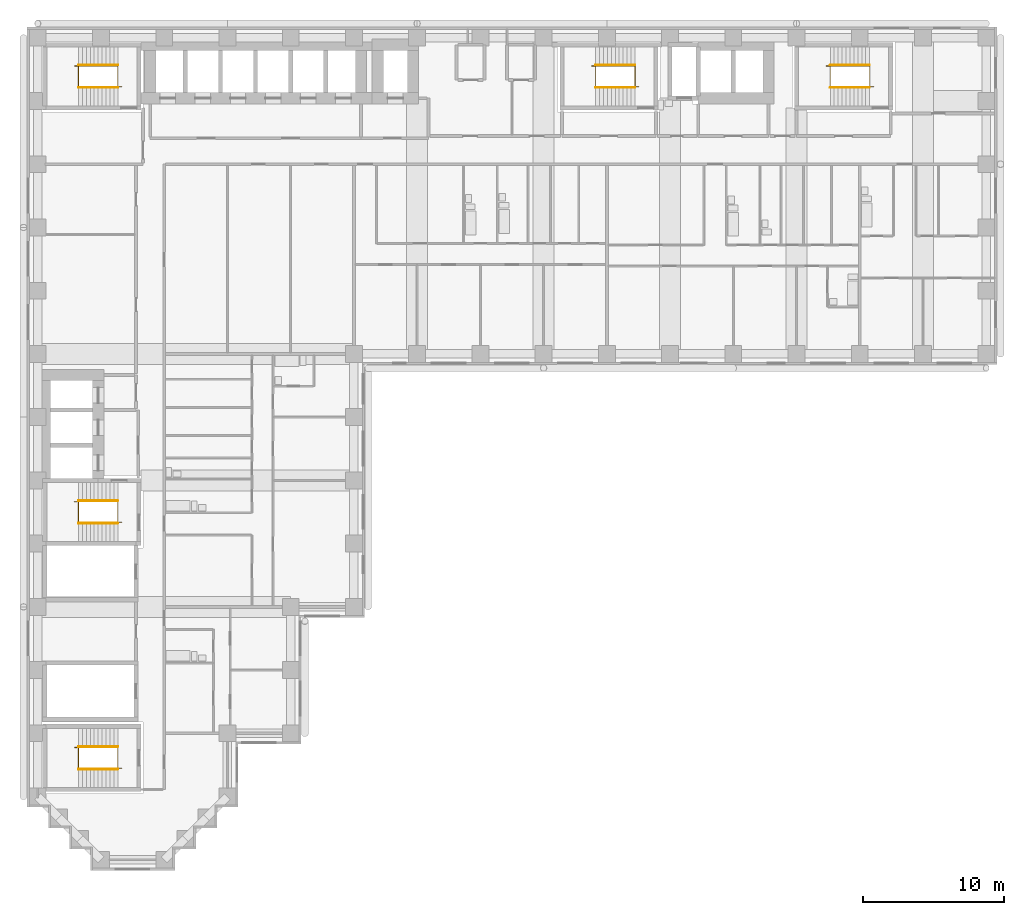
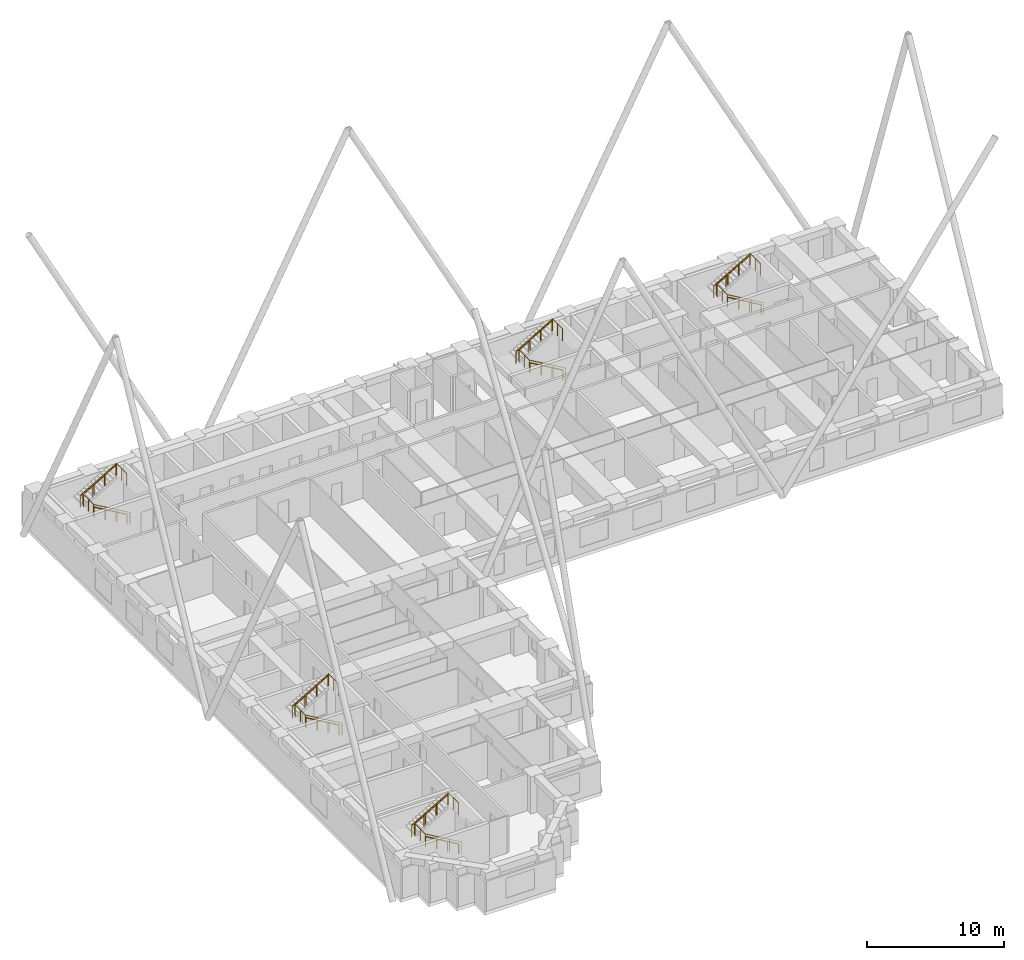
# One storey, part 11 of 12: 15 railings.
"""IFC4 building model written with IfcOpenShell, lengths in metres."""

from ifc_helpers import new_model, si_unit, direction, frame, origin, origin_2d, place, context, subcontext, project, spatial, circle, extrude, material, type_object, element, save


model = new_model("IFC4")

# Units and contexts
model_context = context("Model", 3, precision=1e-05, world=origin(), true_north=direction((0.0, 1.0)))
body_context = subcontext(model_context, "Body", "Model", "MODEL_VIEW")
ifc_project = project(units=[si_unit("LENGTHUNIT", "METRE"), si_unit("AREAUNIT", "SQUARE_METRE"), si_unit("VOLUMEUNIT", "CUBIC_METRE"), si_unit("PLANEANGLEUNIT", "RADIAN"), si_unit("MASSUNIT", "GRAM", prefix="KILO")], contexts=[model_context])

# Site, building, storey
site_placement = place(None, origin())
site = spatial("IfcSite", under=ifc_project, at=site_placement, CompositionType="ELEMENT")
building_placement = place(site_placement, origin())
building = spatial("IfcBuilding", under=site, at=building_placement, Name="Firuza Court", CompositionType="ELEMENT")
storey_placement = place(building_placement, frame((0.0, 0.0, 93.800048828125)))
storey = spatial("IfcBuildingStorey", under=building, at=storey_placement, Name="L23", CompositionType="ELEMENT", Elevation=93.800048828125)

# Railings
ifc_material_1 = material(Name="Steel S355", Category="steel")
railing_type_1 = type_object("IfcRailingType", Name="Handrail 900", PredefinedType="HANDRAIL", material=ifc_material_1)
railing_1_placement = place(storey_placement, frame((42.5, 54.949951171875, 0.16357421875)))
element("IfcRailing", 1, at=railing_1_placement, inside=storey, type_object=railing_type_1, Name="Handrail S1 flight 1", PredefinedType="HANDRAIL", context=body_context, shape_type="SweptSolid", body=[
    extrude(circle(Radius=0.02490234375, at=origin_2d()), frame((0.0, 0.0, 0.875), z_axis=(-0.863360870873, 0.0, 0.504586966384), x_axis=(0.0, -1.0, 0.0)), (0.0, 0.0, 1.0), 3.2431640625),
    extrude(circle(Radius=0.02001953125, at=origin_2d()), origin(), (0.0, 0.0, 1.0), 0.849853515625),
    extrude(circle(Radius=0.02001953125, at=origin_2d()), frame((-0.933349609375, 0.0, 0.54541015625)), (0.0, 0.0, 1.0), 0.849853515625),
    extrude(circle(Radius=0.02001953125, at=origin_2d()), frame((-1.86669921875, 0.0, 1.091064453125)), (0.0, 0.0, 1.0), 0.849853515625),
    extrude(circle(Radius=0.02001953125, at=origin_2d()), frame((-2.800048828125, 0.0, 1.636474609375)), (0.0, 0.0, 1.0), 0.849853515625),
])
railing_2_placement = place(storey_placement, frame((39.699951171875, 56.550048828125, 1.963623046875)))
element("IfcRailing", 2, at=railing_2_placement, inside=storey, type_object=railing_type_1, Name="Handrail S1 flight 2", PredefinedType="HANDRAIL", context=body_context, shape_type="SweptSolid", body=[
    extrude(circle(Radius=0.02490234375, at=origin_2d()), frame((0.0, 0.0, 0.875), z_axis=(0.863393664356, 0.0, 0.504530851732), x_axis=(0.0, 1.0, 0.0)), (0.0, 0.0, 1.0), 3.2431640625),
    extrude(circle(Radius=0.02001953125, at=origin_2d()), origin(), (0.0, 0.0, 1.0), 0.849853515625),
    extrude(circle(Radius=0.02001953125, at=origin_2d()), frame((0.933349609375, 0.0, 0.54541015625)), (0.0, 0.0, 1.0), 0.849853515625),
    extrude(circle(Radius=0.02001953125, at=origin_2d()), frame((1.86669921875, 0.0, 1.0908203125)), (0.0, 0.0, 1.0), 0.849853515625),
    extrude(circle(Radius=0.02001953125, at=origin_2d()), frame((2.800048828125, 0.0, 1.63623046875)), (0.0, 0.0, 1.0), 0.849853515625),
])
railing_3_placement = place(storey_placement, frame((5.699951171875, 23.949951171875, 0.16357421875)))
element("IfcRailing", 3, at=railing_3_placement, inside=storey, type_object=railing_type_1, Name="Handrail S2 flight 1", PredefinedType="HANDRAIL", context=body_context, shape_type="SweptSolid", body=[
    extrude(circle(Radius=0.02490234375, at=origin_2d()), frame((0.0, 0.0, 0.875), z_axis=(-0.863360870873, 0.0, 0.504586966384), x_axis=(0.0, -1.0, 0.0)), (0.0, 0.0, 1.0), 3.2431640625),
    extrude(circle(Radius=0.02001953125, at=origin_2d()), origin(), (0.0, 0.0, 1.0), 0.849853515625),
    extrude(circle(Radius=0.02001953125, at=origin_2d()), frame((-0.933349609375, 0.0, 0.54541015625)), (0.0, 0.0, 1.0), 0.849853515625),
    extrude(circle(Radius=0.02001953125, at=origin_2d()), frame((-1.86669921875, 0.0, 1.091064453125)), (0.0, 0.0, 1.0), 0.849853515625),
    extrude(circle(Radius=0.02001953125, at=origin_2d()), frame((-2.800048828125, 0.0, 1.636474609375)), (0.0, 0.0, 1.0), 0.849853515625),
])
railing_4_placement = place(storey_placement, frame((2.89990234375, 25.550048828125, 1.963623046875)))
element("IfcRailing", 4, at=railing_4_placement, inside=storey, type_object=railing_type_1, Name="Handrail S2 flight 2", PredefinedType="HANDRAIL", context=body_context, shape_type="SweptSolid", body=[
    extrude(circle(Radius=0.02490234375, at=origin_2d()), frame((0.0, 0.0, 0.875), z_axis=(0.863393664356, 0.0, 0.504530851732), x_axis=(0.0, 1.0, 0.0)), (0.0, 0.0, 1.0), 3.2431640625),
    extrude(circle(Radius=0.02001953125, at=origin_2d()), origin(), (0.0, 0.0, 1.0), 0.849853515625),
    extrude(circle(Radius=0.02001953125, at=origin_2d()), frame((0.933349609375, 0.0, 0.54541015625)), (0.0, 0.0, 1.0), 0.849853515625),
    extrude(circle(Radius=0.02001953125, at=origin_2d()), frame((1.86669921875, 0.0, 1.0908203125)), (0.0, 0.0, 1.0), 0.849853515625),
    extrude(circle(Radius=0.02001953125, at=origin_2d()), frame((2.800048828125, 0.0, 1.63623046875)), (0.0, 0.0, 1.0), 0.849853515625),
])
railing_5_placement = place(storey_placement, frame((5.699951171875, 54.949951171875, 0.16357421875)))
element("IfcRailing", 5, at=railing_5_placement, inside=storey, type_object=railing_type_1, Name="Handrail S3 flight 1", PredefinedType="HANDRAIL", context=body_context, shape_type="SweptSolid", body=[
    extrude(circle(Radius=0.02490234375, at=origin_2d()), frame((0.0, 0.0, 0.875), z_axis=(-0.863360870873, 0.0, 0.504586966384), x_axis=(0.0, -1.0, 0.0)), (0.0, 0.0, 1.0), 3.2431640625),
    extrude(circle(Radius=0.02001953125, at=origin_2d()), origin(), (0.0, 0.0, 1.0), 0.849853515625),
    extrude(circle(Radius=0.02001953125, at=origin_2d()), frame((-0.933349609375, 0.0, 0.54541015625)), (0.0, 0.0, 1.0), 0.849853515625),
    extrude(circle(Radius=0.02001953125, at=origin_2d()), frame((-1.86669921875, 0.0, 1.091064453125)), (0.0, 0.0, 1.0), 0.849853515625),
    extrude(circle(Radius=0.02001953125, at=origin_2d()), frame((-2.800048828125, 0.0, 1.636474609375)), (0.0, 0.0, 1.0), 0.849853515625),
])
railing_6_placement = place(storey_placement, frame((2.89990234375, 56.550048828125, 1.963623046875)))
element("IfcRailing", 6, at=railing_6_placement, inside=storey, type_object=railing_type_1, Name="Handrail S3 flight 2", PredefinedType="HANDRAIL", context=body_context, shape_type="SweptSolid", body=[
    extrude(circle(Radius=0.02490234375, at=origin_2d()), frame((0.0, 0.0, 0.875), z_axis=(0.863393664356, 0.0, 0.504530851732), x_axis=(0.0, 1.0, 0.0)), (0.0, 0.0, 1.0), 3.2431640625),
    extrude(circle(Radius=0.02001953125, at=origin_2d()), origin(), (0.0, 0.0, 1.0), 0.849853515625),
    extrude(circle(Radius=0.02001953125, at=origin_2d()), frame((0.933349609375, 0.0, 0.54541015625)), (0.0, 0.0, 1.0), 0.849853515625),
    extrude(circle(Radius=0.02001953125, at=origin_2d()), frame((1.86669921875, 0.0, 1.0908203125)), (0.0, 0.0, 1.0), 0.849853515625),
    extrude(circle(Radius=0.02001953125, at=origin_2d()), frame((2.800048828125, 0.0, 1.63623046875)), (0.0, 0.0, 1.0), 0.849853515625),
])
railing_7_placement = place(storey_placement, frame((59.199951171875, 54.949951171875, 0.16357421875)))
element("IfcRailing", 7, at=railing_7_placement, inside=storey, type_object=railing_type_1, Name="Handrail S4 flight 1", PredefinedType="HANDRAIL", context=body_context, shape_type="SweptSolid", body=[
    extrude(circle(Radius=0.02490234375, at=origin_2d()), frame((0.0, 0.0, 0.875), z_axis=(-0.863360870873, 0.0, 0.504586966384), x_axis=(0.0, -1.0, 0.0)), (0.0, 0.0, 1.0), 3.2431640625),
    extrude(circle(Radius=0.02001953125, at=origin_2d()), origin(), (0.0, 0.0, 1.0), 0.849853515625),
    extrude(circle(Radius=0.02001953125, at=origin_2d()), frame((-0.933349609375, 0.0, 0.54541015625)), (0.0, 0.0, 1.0), 0.849853515625),
    extrude(circle(Radius=0.02001953125, at=origin_2d()), frame((-1.86669921875, 0.0, 1.091064453125)), (0.0, 0.0, 1.0), 0.849853515625),
    extrude(circle(Radius=0.02001953125, at=origin_2d()), frame((-2.800048828125, 0.0, 1.636474609375)), (0.0, 0.0, 1.0), 0.849853515625),
])
railing_8_placement = place(storey_placement, frame((56.39990234375, 56.550048828125, 1.963623046875)))
element("IfcRailing", 8, at=railing_8_placement, inside=storey, type_object=railing_type_1, Name="Handrail S4 flight 2", PredefinedType="HANDRAIL", context=body_context, shape_type="SweptSolid", body=[
    extrude(circle(Radius=0.02490234375, at=origin_2d()), frame((0.0, 0.0, 0.875), z_axis=(0.863393664356, 0.0, 0.504530851732), x_axis=(0.0, 1.0, 0.0)), (0.0, 0.0, 1.0), 3.2431640625),
    extrude(circle(Radius=0.02001953125, at=origin_2d()), origin(), (0.0, 0.0, 1.0), 0.849853515625),
    extrude(circle(Radius=0.02001953125, at=origin_2d()), frame((0.933349609375, 0.0, 0.54541015625)), (0.0, 0.0, 1.0), 0.849853515625),
    extrude(circle(Radius=0.02001953125, at=origin_2d()), frame((1.86669921875, 0.0, 1.0908203125)), (0.0, 0.0, 1.0), 0.849853515625),
    extrude(circle(Radius=0.02001953125, at=origin_2d()), frame((2.800048828125, 0.0, 1.63623046875)), (0.0, 0.0, 1.0), 0.849853515625),
])
railing_9_placement = place(storey_placement, frame((5.699951171875, 6.449951171875, 0.16357421875)))
element("IfcRailing", 9, at=railing_9_placement, inside=storey, type_object=railing_type_1, Name="Handrail S5 flight 1", PredefinedType="HANDRAIL", context=body_context, shape_type="SweptSolid", body=[
    extrude(circle(Radius=0.02490234375, at=origin_2d()), frame((0.0, 0.0, 0.875), z_axis=(-0.863360870873, 0.0, 0.504586966384), x_axis=(0.0, -1.0, 0.0)), (0.0, 0.0, 1.0), 3.2431640625),
    extrude(circle(Radius=0.02001953125, at=origin_2d()), origin(), (0.0, 0.0, 1.0), 0.849853515625),
    extrude(circle(Radius=0.02001953125, at=origin_2d()), frame((-0.933349609375, 0.0, 0.54541015625)), (0.0, 0.0, 1.0), 0.849853515625),
    extrude(circle(Radius=0.02001953125, at=origin_2d()), frame((-1.86669921875, 0.0, 1.091064453125)), (0.0, 0.0, 1.0), 0.849853515625),
    extrude(circle(Radius=0.02001953125, at=origin_2d()), frame((-2.800048828125, 0.0, 1.636474609375)), (0.0, 0.0, 1.0), 0.849853515625),
])
railing_10_placement = place(storey_placement, frame((2.89990234375, 8.050048828125, 1.963623046875)))
element("IfcRailing", 10, at=railing_10_placement, inside=storey, type_object=railing_type_1, Name="Handrail S5 flight 2", PredefinedType="HANDRAIL", context=body_context, shape_type="SweptSolid", body=[
    extrude(circle(Radius=0.02490234375, at=origin_2d()), frame((0.0, 0.0, 0.875), z_axis=(0.863393664356, 0.0, 0.504530851732), x_axis=(0.0, 1.0, 0.0)), (0.0, 0.0, 1.0), 3.2431640625),
    extrude(circle(Radius=0.02001953125, at=origin_2d()), origin(), (0.0, 0.0, 1.0), 0.849853515625),
    extrude(circle(Radius=0.02001953125, at=origin_2d()), frame((0.933349609375, 0.0, 0.54541015625)), (0.0, 0.0, 1.0), 0.849853515625),
    extrude(circle(Radius=0.02001953125, at=origin_2d()), frame((1.86669921875, 0.0, 1.0908203125)), (0.0, 0.0, 1.0), 0.849853515625),
    extrude(circle(Radius=0.02001953125, at=origin_2d()), frame((2.800048828125, 0.0, 1.63623046875)), (0.0, 0.0, 1.0), 0.849853515625),
])
ifc_material_2 = material(Name="Steel S355", Category="steel")
railing_type_2 = type_object("IfcRailingType", Name="Stair guard 1100", PredefinedType="GUARDRAIL", material=ifc_material_2)
railing_11_placement = place(storey_placement, frame((42.780029296875, 55.010009765625, 0.0)))
element("IfcRailing", 11, at=railing_11_placement, inside=storey, type_object=railing_type_2, Name="Stair well guard S1", PredefinedType="GUARDRAIL", context=body_context, shape_type="SweptSolid", body=[
    extrude(circle(Radius=0.02490234375, at=origin_2d()), frame((0.0, 0.0, 1.0751953125), z_axis=(-0.863371556955, 0.0, 0.504568681787), x_axis=(0.0, -1.0, 0.0)), (0.0, 0.0, 1.0), 3.5673828125),
    extrude(circle(Radius=0.02490234375, at=origin_2d()), frame((-3.080078125, 0.0, 2.875), z_axis=(0.0, 1.0, 0.0), x_axis=(-1.0, 0.0, 0.0)), (0.0, 0.0, 1.0), 1.47998046875),
    extrude(circle(Radius=0.02490234375, at=origin_2d()), frame((-3.080078125, 1.47998046875, 2.875), z_axis=(-1.0, 0.0, 0.0), x_axis=(0.0, -1.0, 0.0)), (0.0, 0.0, 1.0), 0.280029296875),
    extrude(circle(Radius=0.02490234375, at=origin_2d()), frame((-3.360107421875, 1.47998046875, 2.875), z_axis=(0.863401368682, 0.0, 0.504517667242), x_axis=(0.0, 1.0, 0.0)), (0.0, 0.0, 1.0), 3.5673828125),
    extrude(circle(Radius=0.02490234375, at=origin_2d()), frame((-0.280029296875, 1.47998046875, 4.6748046875), z_axis=(0.0, -1.0, 0.0), x_axis=(1.0, 0.0, 0.0)), (0.0, 0.0, 1.0), 1.47998046875),
    extrude(circle(Radius=0.02490234375, at=origin_2d()), origin(), (0.0, 0.0, 1.0), 1.050048828125),
    extrude(circle(Radius=0.02490234375, at=origin_2d()), frame((-1.026611328125, 0.0, 0.60009765625)), (0.0, 0.0, 1.0), 1.050048828125),
    extrude(circle(Radius=0.02490234375, at=origin_2d()), frame((-2.053466796875, 0.0, 1.199951171875)), (0.0, 0.0, 1.0), 1.050048828125),
    extrude(circle(Radius=0.02490234375, at=origin_2d()), frame((-3.080078125, 0.0, 1.800048828125)), (0.0, 0.0, 1.0), 1.050048828125),
    extrude(circle(Radius=0.02490234375, at=origin_2d()), frame((-3.080078125, 0.739990234375, 1.800048828125)), (0.0, 0.0, 1.0), 1.050048828125),
    extrude(circle(Radius=0.02490234375, at=origin_2d()), frame((-3.080078125, 1.47998046875, 1.800048828125)), (0.0, 0.0, 1.0), 1.050048828125),
    extrude(circle(Radius=0.02490234375, at=origin_2d()), frame((-3.360107421875, 1.47998046875, 1.800048828125)), (0.0, 0.0, 1.0), 1.050048828125),
    extrude(circle(Radius=0.02490234375, at=origin_2d()), frame((-2.33349609375, 1.47998046875, 2.39990234375)), (0.0, 0.0, 1.0), 1.050048828125),
    extrude(circle(Radius=0.02490234375, at=origin_2d()), frame((-1.306640625, 1.47998046875, 3.0)), (0.0, 0.0, 1.0), 1.050048828125),
    extrude(circle(Radius=0.02490234375, at=origin_2d()), frame((-0.280029296875, 1.47998046875, 3.599853515625)), (0.0, 0.0, 1.0), 1.050048828125),
    extrude(circle(Radius=0.02490234375, at=origin_2d()), frame((-0.280029296875, 0.739990234375, 3.599853515625)), (0.0, 0.0, 1.0), 1.050048828125),
    extrude(circle(Radius=0.02490234375, at=origin_2d()), frame((-0.280029296875, 0.0, 3.599853515625)), (0.0, 0.0, 1.0), 1.050048828125),
])
railing_12_placement = place(storey_placement, frame((5.97998046875, 24.010009765625, 0.0)))
element("IfcRailing", 12, at=railing_12_placement, inside=storey, type_object=railing_type_2, Name="Stair well guard S2", PredefinedType="GUARDRAIL", context=body_context, shape_type="SweptSolid", body=[
    extrude(circle(Radius=0.02490234375, at=origin_2d()), frame((0.0, 0.0, 1.0751953125), z_axis=(-0.863371556955, 0.0, 0.504568681787), x_axis=(0.0, -1.0, 0.0)), (0.0, 0.0, 1.0), 3.5673828125),
    extrude(circle(Radius=0.02490234375, at=origin_2d()), frame((-3.080078125, 0.0, 2.875), z_axis=(0.0, 1.0, 0.0), x_axis=(-1.0, 0.0, 0.0)), (0.0, 0.0, 1.0), 1.47998046875),
    extrude(circle(Radius=0.02490234375, at=origin_2d()), frame((-3.080078125, 1.47998046875, 2.875), z_axis=(-1.0, 0.0, 0.0), x_axis=(0.0, -1.0, 0.0)), (0.0, 0.0, 1.0), 0.27978515625),
    extrude(circle(Radius=0.02490234375, at=origin_2d()), frame((-3.35986328125, 1.47998046875, 2.875), z_axis=(0.863383947312, 0.0, 0.504547479951), x_axis=(0.0, 1.0, 0.0)), (0.0, 0.0, 1.0), 3.567138671875),
    extrude(circle(Radius=0.02490234375, at=origin_2d()), frame((-0.280029296875, 1.47998046875, 4.6748046875), z_axis=(0.0, -1.0, 0.0), x_axis=(1.0, 0.0, 0.0)), (0.0, 0.0, 1.0), 1.47998046875),
    extrude(circle(Radius=0.02490234375, at=origin_2d()), origin(), (0.0, 0.0, 1.0), 1.050048828125),
    extrude(circle(Radius=0.02490234375, at=origin_2d()), frame((-1.026611328125, 0.0, 0.60009765625)), (0.0, 0.0, 1.0), 1.050048828125),
    extrude(circle(Radius=0.02490234375, at=origin_2d()), frame((-2.053466796875, 0.0, 1.199951171875)), (0.0, 0.0, 1.0), 1.050048828125),
    extrude(circle(Radius=0.02490234375, at=origin_2d()), frame((-3.080078125, 0.0, 1.800048828125)), (0.0, 0.0, 1.0), 1.050048828125),
    extrude(circle(Radius=0.02490234375, at=origin_2d()), frame((-3.080078125, 0.739990234375, 1.800048828125)), (0.0, 0.0, 1.0), 1.050048828125),
    extrude(circle(Radius=0.02490234375, at=origin_2d()), frame((-3.080078125, 1.47998046875, 1.800048828125)), (0.0, 0.0, 1.0), 1.050048828125),
    extrude(circle(Radius=0.02490234375, at=origin_2d()), frame((-3.35986328125, 1.47998046875, 1.800048828125)), (0.0, 0.0, 1.0), 1.050048828125),
    extrude(circle(Radius=0.02490234375, at=origin_2d()), frame((-2.333251953125, 1.47998046875, 2.39990234375)), (0.0, 0.0, 1.0), 1.050048828125),
    extrude(circle(Radius=0.02490234375, at=origin_2d()), frame((-1.306640625, 1.47998046875, 3.0)), (0.0, 0.0, 1.0), 1.050048828125),
    extrude(circle(Radius=0.02490234375, at=origin_2d()), frame((-0.280029296875, 1.47998046875, 3.599853515625)), (0.0, 0.0, 1.0), 1.050048828125),
    extrude(circle(Radius=0.02490234375, at=origin_2d()), frame((-0.280029296875, 0.739990234375, 3.599853515625)), (0.0, 0.0, 1.0), 1.050048828125),
    extrude(circle(Radius=0.02490234375, at=origin_2d()), frame((-0.280029296875, 0.0, 3.599853515625)), (0.0, 0.0, 1.0), 1.050048828125),
])
railing_13_placement = place(storey_placement, frame((5.97998046875, 55.010009765625, 0.0)))
element("IfcRailing", 13, at=railing_13_placement, inside=storey, type_object=railing_type_2, Name="Stair well guard S3", PredefinedType="GUARDRAIL", context=body_context, shape_type="SweptSolid", body=[
    extrude(circle(Radius=0.02490234375, at=origin_2d()), frame((0.0, 0.0, 1.0751953125), z_axis=(-0.863371556955, 0.0, 0.504568681787), x_axis=(0.0, -1.0, 0.0)), (0.0, 0.0, 1.0), 3.5673828125),
    extrude(circle(Radius=0.02490234375, at=origin_2d()), frame((-3.080078125, 0.0, 2.875), z_axis=(0.0, 1.0, 0.0), x_axis=(-1.0, 0.0, 0.0)), (0.0, 0.0, 1.0), 1.47998046875),
    extrude(circle(Radius=0.02490234375, at=origin_2d()), frame((-3.080078125, 1.47998046875, 2.875), z_axis=(-1.0, 0.0, 0.0), x_axis=(0.0, -1.0, 0.0)), (0.0, 0.0, 1.0), 0.27978515625),
    extrude(circle(Radius=0.02490234375, at=origin_2d()), frame((-3.35986328125, 1.47998046875, 2.875), z_axis=(0.863383947312, 0.0, 0.504547479951), x_axis=(0.0, 1.0, 0.0)), (0.0, 0.0, 1.0), 3.567138671875),
    extrude(circle(Radius=0.02490234375, at=origin_2d()), frame((-0.280029296875, 1.47998046875, 4.6748046875), z_axis=(0.0, -1.0, 0.0), x_axis=(1.0, 0.0, 0.0)), (0.0, 0.0, 1.0), 1.47998046875),
    extrude(circle(Radius=0.02490234375, at=origin_2d()), origin(), (0.0, 0.0, 1.0), 1.050048828125),
    extrude(circle(Radius=0.02490234375, at=origin_2d()), frame((-1.026611328125, 0.0, 0.60009765625)), (0.0, 0.0, 1.0), 1.050048828125),
    extrude(circle(Radius=0.02490234375, at=origin_2d()), frame((-2.053466796875, 0.0, 1.199951171875)), (0.0, 0.0, 1.0), 1.050048828125),
    extrude(circle(Radius=0.02490234375, at=origin_2d()), frame((-3.080078125, 0.0, 1.800048828125)), (0.0, 0.0, 1.0), 1.050048828125),
    extrude(circle(Radius=0.02490234375, at=origin_2d()), frame((-3.080078125, 0.739990234375, 1.800048828125)), (0.0, 0.0, 1.0), 1.050048828125),
    extrude(circle(Radius=0.02490234375, at=origin_2d()), frame((-3.080078125, 1.47998046875, 1.800048828125)), (0.0, 0.0, 1.0), 1.050048828125),
    extrude(circle(Radius=0.02490234375, at=origin_2d()), frame((-3.35986328125, 1.47998046875, 1.800048828125)), (0.0, 0.0, 1.0), 1.050048828125),
    extrude(circle(Radius=0.02490234375, at=origin_2d()), frame((-2.333251953125, 1.47998046875, 2.39990234375)), (0.0, 0.0, 1.0), 1.050048828125),
    extrude(circle(Radius=0.02490234375, at=origin_2d()), frame((-1.306640625, 1.47998046875, 3.0)), (0.0, 0.0, 1.0), 1.050048828125),
    extrude(circle(Radius=0.02490234375, at=origin_2d()), frame((-0.280029296875, 1.47998046875, 3.599853515625)), (0.0, 0.0, 1.0), 1.050048828125),
    extrude(circle(Radius=0.02490234375, at=origin_2d()), frame((-0.280029296875, 0.739990234375, 3.599853515625)), (0.0, 0.0, 1.0), 1.050048828125),
    extrude(circle(Radius=0.02490234375, at=origin_2d()), frame((-0.280029296875, 0.0, 3.599853515625)), (0.0, 0.0, 1.0), 1.050048828125),
])
railing_14_placement = place(storey_placement, frame((59.47998046875, 55.010009765625, 0.0)))
element("IfcRailing", 14, at=railing_14_placement, inside=storey, type_object=railing_type_2, Name="Stair well guard S4", PredefinedType="GUARDRAIL", context=body_context, shape_type="SweptSolid", body=[
    extrude(circle(Radius=0.02490234375, at=origin_2d()), frame((0.0, 0.0, 1.0751953125), z_axis=(-0.863371556955, 0.0, 0.504568681787), x_axis=(0.0, -1.0, 0.0)), (0.0, 0.0, 1.0), 3.5673828125),
    extrude(circle(Radius=0.02490234375, at=origin_2d()), frame((-3.080078125, 0.0, 2.875), z_axis=(0.0, 1.0, 0.0), x_axis=(-1.0, 0.0, 0.0)), (0.0, 0.0, 1.0), 1.47998046875),
    extrude(circle(Radius=0.02490234375, at=origin_2d()), frame((-3.080078125, 1.47998046875, 2.875), z_axis=(-1.0, 0.0, 0.0), x_axis=(0.0, -1.0, 0.0)), (0.0, 0.0, 1.0), 0.27978515625),
    extrude(circle(Radius=0.02490234375, at=origin_2d()), frame((-3.35986328125, 1.47998046875, 2.875), z_axis=(0.863383947312, 0.0, 0.504547479951), x_axis=(0.0, 1.0, 0.0)), (0.0, 0.0, 1.0), 3.567138671875),
    extrude(circle(Radius=0.02490234375, at=origin_2d()), frame((-0.280029296875, 1.47998046875, 4.6748046875), z_axis=(0.0, -1.0, 0.0), x_axis=(1.0, 0.0, 0.0)), (0.0, 0.0, 1.0), 1.47998046875),
    extrude(circle(Radius=0.02490234375, at=origin_2d()), origin(), (0.0, 0.0, 1.0), 1.050048828125),
    extrude(circle(Radius=0.02490234375, at=origin_2d()), frame((-1.026611328125, 0.0, 0.60009765625)), (0.0, 0.0, 1.0), 1.050048828125),
    extrude(circle(Radius=0.02490234375, at=origin_2d()), frame((-2.053466796875, 0.0, 1.199951171875)), (0.0, 0.0, 1.0), 1.050048828125),
    extrude(circle(Radius=0.02490234375, at=origin_2d()), frame((-3.080078125, 0.0, 1.800048828125)), (0.0, 0.0, 1.0), 1.050048828125),
    extrude(circle(Radius=0.02490234375, at=origin_2d()), frame((-3.080078125, 0.739990234375, 1.800048828125)), (0.0, 0.0, 1.0), 1.050048828125),
    extrude(circle(Radius=0.02490234375, at=origin_2d()), frame((-3.080078125, 1.47998046875, 1.800048828125)), (0.0, 0.0, 1.0), 1.050048828125),
    extrude(circle(Radius=0.02490234375, at=origin_2d()), frame((-3.35986328125, 1.47998046875, 1.800048828125)), (0.0, 0.0, 1.0), 1.050048828125),
    extrude(circle(Radius=0.02490234375, at=origin_2d()), frame((-2.333251953125, 1.47998046875, 2.39990234375)), (0.0, 0.0, 1.0), 1.050048828125),
    extrude(circle(Radius=0.02490234375, at=origin_2d()), frame((-1.306640625, 1.47998046875, 3.0)), (0.0, 0.0, 1.0), 1.050048828125),
    extrude(circle(Radius=0.02490234375, at=origin_2d()), frame((-0.280029296875, 1.47998046875, 3.599853515625)), (0.0, 0.0, 1.0), 1.050048828125),
    extrude(circle(Radius=0.02490234375, at=origin_2d()), frame((-0.280029296875, 0.739990234375, 3.599853515625)), (0.0, 0.0, 1.0), 1.050048828125),
    extrude(circle(Radius=0.02490234375, at=origin_2d()), frame((-0.280029296875, 0.0, 3.599853515625)), (0.0, 0.0, 1.0), 1.050048828125),
])
railing_15_placement = place(storey_placement, frame((5.97998046875, 6.510009765625, 0.0)))
element("IfcRailing", 15, at=railing_15_placement, inside=storey, type_object=railing_type_2, Name="Stair well guard S5", PredefinedType="GUARDRAIL", context=body_context, shape_type="SweptSolid", body=[
    extrude(circle(Radius=0.02490234375, at=origin_2d()), frame((0.0, 0.0, 1.0751953125), z_axis=(-0.863371556955, 0.0, 0.504568681787), x_axis=(0.0, -1.0, 0.0)), (0.0, 0.0, 1.0), 3.5673828125),
    extrude(circle(Radius=0.02490234375, at=origin_2d()), frame((-3.080078125, 0.0, 2.875), z_axis=(0.0, 1.0, 0.0), x_axis=(-1.0, 0.0, 0.0)), (0.0, 0.0, 1.0), 1.47998046875),
    extrude(circle(Radius=0.02490234375, at=origin_2d()), frame((-3.080078125, 1.47998046875, 2.875), z_axis=(-1.0, 0.0, 0.0), x_axis=(0.0, -1.0, 0.0)), (0.0, 0.0, 1.0), 0.27978515625),
    extrude(circle(Radius=0.02490234375, at=origin_2d()), frame((-3.35986328125, 1.47998046875, 2.875), z_axis=(0.863383947312, 0.0, 0.504547479951), x_axis=(0.0, 1.0, 0.0)), (0.0, 0.0, 1.0), 3.567138671875),
    extrude(circle(Radius=0.02490234375, at=origin_2d()), frame((-0.280029296875, 1.47998046875, 4.6748046875), z_axis=(0.0, -1.0, 0.0), x_axis=(1.0, 0.0, 0.0)), (0.0, 0.0, 1.0), 1.47998046875),
    extrude(circle(Radius=0.02490234375, at=origin_2d()), origin(), (0.0, 0.0, 1.0), 1.050048828125),
    extrude(circle(Radius=0.02490234375, at=origin_2d()), frame((-1.026611328125, 0.0, 0.60009765625)), (0.0, 0.0, 1.0), 1.050048828125),
    extrude(circle(Radius=0.02490234375, at=origin_2d()), frame((-2.053466796875, 0.0, 1.199951171875)), (0.0, 0.0, 1.0), 1.050048828125),
    extrude(circle(Radius=0.02490234375, at=origin_2d()), frame((-3.080078125, 0.0, 1.800048828125)), (0.0, 0.0, 1.0), 1.050048828125),
    extrude(circle(Radius=0.02490234375, at=origin_2d()), frame((-3.080078125, 0.739990234375, 1.800048828125)), (0.0, 0.0, 1.0), 1.050048828125),
    extrude(circle(Radius=0.02490234375, at=origin_2d()), frame((-3.080078125, 1.47998046875, 1.800048828125)), (0.0, 0.0, 1.0), 1.050048828125),
    extrude(circle(Radius=0.02490234375, at=origin_2d()), frame((-3.35986328125, 1.47998046875, 1.800048828125)), (0.0, 0.0, 1.0), 1.050048828125),
    extrude(circle(Radius=0.02490234375, at=origin_2d()), frame((-2.333251953125, 1.47998046875, 2.39990234375)), (0.0, 0.0, 1.0), 1.050048828125),
    extrude(circle(Radius=0.02490234375, at=origin_2d()), frame((-1.306640625, 1.47998046875, 3.0)), (0.0, 0.0, 1.0), 1.050048828125),
    extrude(circle(Radius=0.02490234375, at=origin_2d()), frame((-0.280029296875, 1.47998046875, 3.599853515625)), (0.0, 0.0, 1.0), 1.050048828125),
    extrude(circle(Radius=0.02490234375, at=origin_2d()), frame((-0.280029296875, 0.739990234375, 3.599853515625)), (0.0, 0.0, 1.0), 1.050048828125),
    extrude(circle(Radius=0.02490234375, at=origin_2d()), frame((-0.280029296875, 0.0, 3.599853515625)), (0.0, 0.0, 1.0), 1.050048828125),
])

save(model, "model.ifc")
